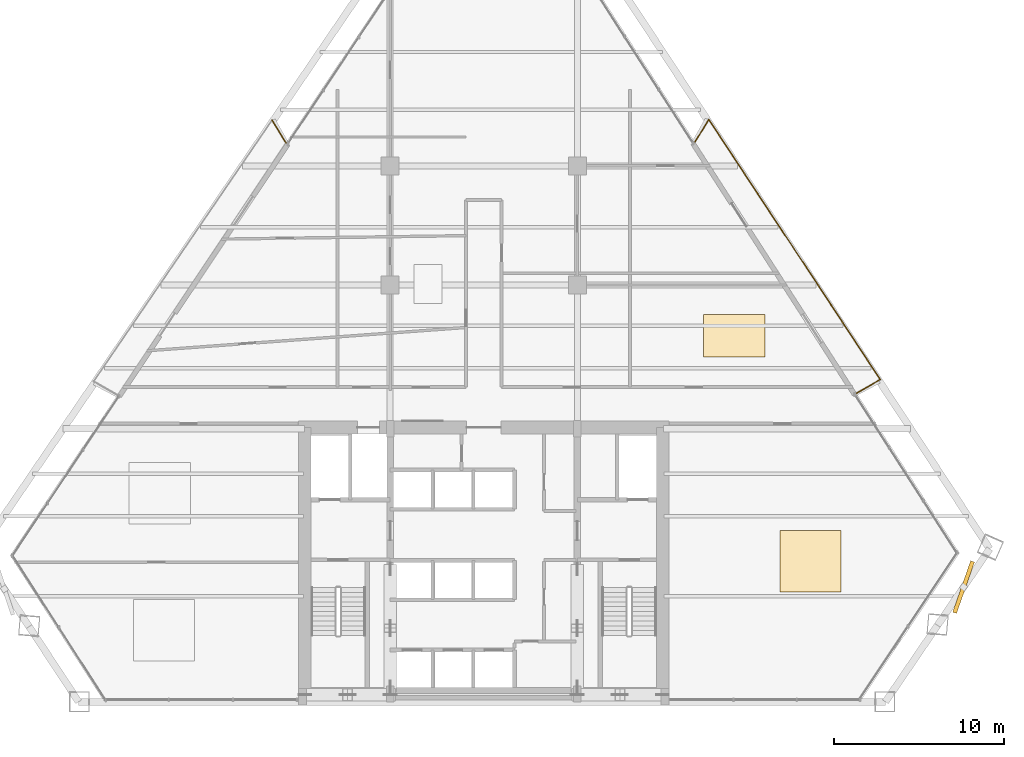
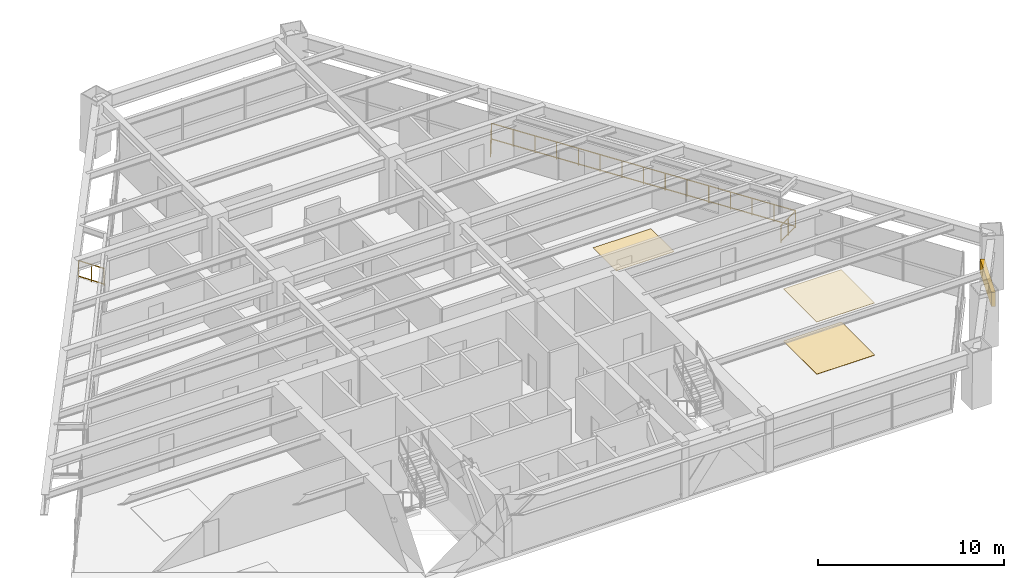
# One storey, part 14 of 14: 4 railings, 3 coverings, 1 shading device.
"""IFC4 building model written with IfcOpenShell, lengths in metres."""

from ifc_helpers import new_model, si_unit, direction, frame, origin, origin_2d, place, context, subcontext, project, spatial, rectangle, extrude, source, transform, mapped, material, layer, layer_set, type_object, type_shapes, element, save


model = new_model("IFC4")

# Units and contexts
model_context = context("Model", 3, precision=1e-05, world=origin(), true_north=direction((0.0, 1.0)))
body_context = subcontext(model_context, "Body", "Model", "MODEL_VIEW")
ifc_project = project(units=[si_unit("LENGTHUNIT", "METRE"), si_unit("AREAUNIT", "SQUARE_METRE"), si_unit("VOLUMEUNIT", "CUBIC_METRE"), si_unit("PLANEANGLEUNIT", "RADIAN"), si_unit("MASSUNIT", "GRAM", prefix="KILO")], contexts=[model_context])

# Site, building, storey
site_placement = place(None, origin())
site = spatial("IfcSite", under=ifc_project, at=site_placement, CompositionType="ELEMENT")
building_placement = place(site_placement, origin())
building = spatial("IfcBuilding", under=site, at=building_placement, Name="Varnakhor Terracotta Tower", CompositionType="ELEMENT")
storey_placement = place(building_placement, frame((0.0, 0.0, 106.199951171875)))
storey = spatial("IfcBuildingStorey", under=building, at=storey_placement, Name="L26", CompositionType="ELEMENT", Elevation=106.199951171875)

# Railings
ifc_material_1 = material(Name="Stainless Steel & Laminated Glass Guardrail", Category="steel")
railing_type = type_object("IfcRailingType", Name="RLG-LOGGIA-GUARD-1150", PredefinedType="GUARDRAIL", material=ifc_material_1)
railing_1_placement = place(storey_placement, frame((12.41259765625, 32.897705078125, 0.0)))
element("IfcRailing", 1, at=railing_1_placement, inside=storey, type_object=railing_type, Name="L26 E Loggia Glass Guard 1", PredefinedType="GUARDRAIL", context=body_context, shape_type="SweptSolid", body=[
    extrude(rectangle(XDim=0.048095703125, YDim=0.048095703125, at=origin_2d()), frame((0.0, 0.0, 1.1259765625), z_axis=(0.523013634484, 0.852324315119, 0.0), x_axis=(-0.852324315119, 0.523013634484, 0.0)), (0.0, 0.0, 1.0), 1.55908203125),
    extrude(rectangle(XDim=0.048095703125, YDim=0.048095703125, at=origin_2d()), frame((0.0, 0.0, 0.10009765625), z_axis=(0.523013634484, 0.852324315119, 0.0), x_axis=(-0.852324315119, 0.523013634484, 0.0)), (0.0, 0.0, 1.0), 1.55908203125),
    extrude(rectangle(XDim=0.0419921875, YDim=0.0419921875, at=origin_2d()), origin(), (0.0, 0.0, 1.0), 1.101806640625),
    extrude(rectangle(XDim=0.0419921875, YDim=0.0419921875, at=origin_2d()), frame((0.40771484375, 0.66455078125, 0.0)), (0.0, 0.0, 1.0), 1.101806640625),
    extrude(rectangle(XDim=0.0419921875, YDim=0.0419921875, at=origin_2d()), frame((0.8154296875, 1.328857421875, 0.0)), (0.0, 0.0, 1.0), 1.101806640625),
])
railing_2_placement = place(storey_placement, frame((13.22802734375, 34.2265625, 0.0)))
element("IfcRailing", 2, at=railing_2_placement, inside=storey, type_object=railing_type, Name="L26 E Loggia Glass Guard 2", PredefinedType="GUARDRAIL", context=body_context, shape_type="SweptSolid", body=[
    extrude(rectangle(XDim=0.048095703125, YDim=0.048095703125, at=origin_2d()), frame((0.0, 0.0, 1.1259765625), z_axis=(0.55025946449, -0.834993725569, 0.0), x_axis=(0.834993725569, 0.55025946449, 0.0)), (0.0, 0.0, 1.0), 18.302001953125),
    extrude(rectangle(XDim=0.048095703125, YDim=0.048095703125, at=origin_2d()), frame((0.0, 0.0, 0.10009765625), z_axis=(0.55025946449, -0.834993725569, 0.0), x_axis=(0.834993725569, 0.55025946449, 0.0)), (0.0, 0.0, 1.0), 18.302001953125),
    extrude(rectangle(XDim=0.0419921875, YDim=0.0419921875, at=origin_2d()), origin(), (0.0, 0.0, 1.0), 1.101806640625),
    extrude(rectangle(XDim=0.0419921875, YDim=0.0419921875, at=origin_2d()), frame((0.71923828125, -1.091552734375, 0.0)), (0.0, 0.0, 1.0), 1.101806640625),
    extrude(rectangle(XDim=0.0419921875, YDim=0.0419921875, at=origin_2d()), frame((1.438720703125, -2.18310546875, 0.0)), (0.0, 0.0, 1.0), 1.101806640625),
    extrude(rectangle(XDim=0.0419921875, YDim=0.0419921875, at=origin_2d()), frame((2.157958984375, -3.274658203125, 0.0)), (0.0, 0.0, 1.0), 1.101806640625),
    extrude(rectangle(XDim=0.0419921875, YDim=0.0419921875, at=origin_2d()), frame((2.87744140625, -4.3662109375, 0.0)), (0.0, 0.0, 1.0), 1.101806640625),
    extrude(rectangle(XDim=0.0419921875, YDim=0.0419921875, at=origin_2d()), frame((3.5966796875, -5.457763671875, 0.0)), (0.0, 0.0, 1.0), 1.101806640625),
    extrude(rectangle(XDim=0.0419921875, YDim=0.0419921875, at=origin_2d()), frame((4.316162109375, -6.54931640625, 0.0)), (0.0, 0.0, 1.0), 1.101806640625),
    extrude(rectangle(XDim=0.0419921875, YDim=0.0419921875, at=origin_2d()), frame((5.035400390625, -7.64111328125, 0.0)), (0.0, 0.0, 1.0), 1.101806640625),
    extrude(rectangle(XDim=0.0419921875, YDim=0.0419921875, at=origin_2d()), frame((5.754638671875, -8.732666015625, 0.0)), (0.0, 0.0, 1.0), 1.101806640625),
    extrude(rectangle(XDim=0.0419921875, YDim=0.0419921875, at=origin_2d()), frame((6.47412109375, -9.82421875, 0.0)), (0.0, 0.0, 1.0), 1.101806640625),
    extrude(rectangle(XDim=0.0419921875, YDim=0.0419921875, at=origin_2d()), frame((7.193359375, -10.915771484375, 0.0)), (0.0, 0.0, 1.0), 1.101806640625),
    extrude(rectangle(XDim=0.0419921875, YDim=0.0419921875, at=origin_2d()), frame((7.912841796875, -12.00732421875, 0.0)), (0.0, 0.0, 1.0), 1.101806640625),
    extrude(rectangle(XDim=0.0419921875, YDim=0.0419921875, at=origin_2d()), frame((8.632080078125, -13.098876953125, 0.0)), (0.0, 0.0, 1.0), 1.101806640625),
    extrude(rectangle(XDim=0.0419921875, YDim=0.0419921875, at=origin_2d()), frame((9.3515625, -14.1904296875, 0.0)), (0.0, 0.0, 1.0), 1.101806640625),
    extrude(rectangle(XDim=0.0419921875, YDim=0.0419921875, at=origin_2d()), frame((10.07080078125, -15.281982421875, 0.0)), (0.0, 0.0, 1.0), 1.101806640625),
])
railing_3_placement = place(storey_placement, frame((23.298828125, 18.944580078125, 0.0)))
element("IfcRailing", 3, at=railing_3_placement, inside=storey, type_object=railing_type, Name="L26 E Loggia Glass Guard 3", PredefinedType="GUARDRAIL", context=body_context, shape_type="SweptSolid", body=[
    extrude(rectangle(XDim=0.048095703125, YDim=0.048095703125, at=origin_2d()), frame((0.0, 0.0, 1.1259765625), z_axis=(-0.863364186731, -0.504581292827, 0.0), x_axis=(0.504581292827, -0.863364186731, 0.0)), (0.0, 0.0, 1.0), 1.6025390625),
    extrude(rectangle(XDim=0.048095703125, YDim=0.048095703125, at=origin_2d()), frame((0.0, 0.0, 0.10009765625), z_axis=(-0.863364186731, -0.504581292827, 0.0), x_axis=(0.504581292827, -0.863364186731, 0.0)), (0.0, 0.0, 1.0), 1.6025390625),
    extrude(rectangle(XDim=0.0419921875, YDim=0.0419921875, at=origin_2d()), origin(), (0.0, 0.0, 1.0), 1.101806640625),
    extrude(rectangle(XDim=0.0419921875, YDim=0.0419921875, at=origin_2d()), frame((-0.69189453125, -0.404296875, 0.0)), (0.0, 0.0, 1.0), 1.101806640625),
    extrude(rectangle(XDim=0.0419921875, YDim=0.0419921875, at=origin_2d()), frame((-1.383544921875, -0.80859375, 0.0)), (0.0, 0.0, 1.0), 1.101806640625),
])
railing_4_placement = place(storey_placement, frame((-12.445068359375, 34.1865234375, 0.0)))
element("IfcRailing", 4, at=railing_4_placement, inside=storey, type_object=railing_type, Name="L26 W Loggia Glass Guard 3", PredefinedType="GUARDRAIL", context=body_context, shape_type="SweptSolid", body=[
    extrude(rectangle(XDim=0.048095703125, YDim=0.048095703125, at=origin_2d()), frame((0.0, 0.0, 1.1259765625), z_axis=(0.524499200037, -0.85141094024, 0.0), x_axis=(0.85141094024, 0.524499200037, 0.0)), (0.0, 0.0, 1.0), 1.559326171875),
    extrude(rectangle(XDim=0.048095703125, YDim=0.048095703125, at=origin_2d()), frame((0.0, 0.0, 0.10009765625), z_axis=(0.524499200037, -0.85141094024, 0.0), x_axis=(0.85141094024, 0.524499200037, 0.0)), (0.0, 0.0, 1.0), 1.559326171875),
    extrude(rectangle(XDim=0.0419921875, YDim=0.0419921875, at=origin_2d()), origin(), (0.0, 0.0, 1.0), 1.101806640625),
    extrude(rectangle(XDim=0.0419921875, YDim=0.0419921875, at=origin_2d()), frame((0.408935546875, -0.663818359375, 0.0)), (0.0, 0.0, 1.0), 1.101806640625),
    extrude(rectangle(XDim=0.0419921875, YDim=0.0419921875, at=origin_2d()), frame((0.81787109375, -1.32763671875, 0.0)), (0.0, 0.0, 1.0), 1.101806640625),
])

# Shading device
ifc_material_2 = material(Name="Extruded Architectural Terracotta Screen", Category="masonry")
shading_device_type = type_object("IfcShadingDeviceType", Name="TERRACOTTA SOLAR SCREEN E", PredefinedType="USERDEFINED", material=ifc_material_2)
shared_shape_1 = source(origin(), body_context, "Body", "SweptSolid", [
    extrude(rectangle(XDim=3.199951171875, YDim=0.239990234375, at=origin_2d()), origin(), (0.0, 0.0, 1.0), 0.919921875),
])
type_shapes(shading_device_type, [shared_shape_1])
shading_device_placement = place(storey_placement, frame((28.20361328125, 6.744384765625, 1.6181640625), z_axis=(0.0, 0.0, 1.0), x_axis=(0.329921319884, 0.944008433588, 0.0)))
element("IfcShadingDevice", 5, at=shading_device_placement, inside=storey, type_object=shading_device_type, Name="L26 E Terracotta Solar Screen", ObjectType="SCREEN", PredefinedType="USERDEFINED", context=body_context, shape_type="MappedRepresentation", body=[
    mapped(shared_shape_1, transform((0.0, 0.0, 0.0), scale=1.0)),
])

# Coverings
ifc_material_3 = material(Name="Honed Riyadh Limestone Flooring", Category="masonry")
ifc_layer_1 = layer(ifc_material_3, 0.030029296875, Name="Honed Riyadh Limestone Flooring")
ifc_layer_set_1 = layer_set([ifc_layer_1], Name="Honed Riyadh Limestone Flooring")
covering_type_1 = type_object("IfcCoveringType", Name="COV-FLOOR-LIMESTONE", PredefinedType="FLOORING", material=ifc_layer_set_1)
shared_shape_2 = source(origin(), body_context, "Body", "SweptSolid", [
    extrude(rectangle(XDim=3.60009765625, YDim=3.60009765625, at=origin_2d()), origin(), (0.0, 0.0, 1.0), 0.02001953125),
])
covering_1_placement = place(storey_placement, frame((19.2099609375, 8.26611328125, 0.0), z_axis=(0.0, 0.0, 1.0), x_axis=(1.0, 0.0, 0.0)))
element("IfcCovering", 6, at=covering_1_placement, inside=storey, type_object=covering_type_1, Name="L26 Honed Stone Flooring 2", PredefinedType="FLOORING", context=body_context, shape_type="MappedRepresentation", body=[
    mapped(shared_shape_2, transform((0.0, 0.0, 0.0), scale=1.0)),
])
ifc_material_4 = material(Name="Perforated Acoustic Mineral-Fibre Ceiling", Category="gypsum")
ifc_layer_2 = layer(ifc_material_4, 0.02490234375, Name="Perforated Acoustic Mineral-Fibre Ceiling")
ifc_layer_set_2 = layer_set([ifc_layer_2], Name="Perforated Acoustic Mineral-Fibre Ceiling")
covering_type_2 = type_object("IfcCoveringType", Name="COV-CEILING-ACOUSTIC", PredefinedType="CEILING", material=ifc_layer_set_2)
shared_shape_3 = source(origin(), body_context, "Body", "SweptSolid", [
    extrude(rectangle(XDim=3.60009765625, YDim=3.60009765625, at=origin_2d()), origin(), (0.0, 0.0, 1.0), 0.02392578125),
])
covering_2_placement = place(storey_placement, frame((19.2099609375, 8.26611328125, 3.426025390625), z_axis=(0.0, 0.0, 1.0), x_axis=(1.0, 0.0, 0.0)))
element("IfcCovering", 7, at=covering_2_placement, inside=storey, type_object=covering_type_2, Name="L26 Acoustic Ceiling Panel 2", PredefinedType="CEILING", context=body_context, shape_type="MappedRepresentation", body=[
    mapped(shared_shape_3, transform((0.0, 0.0, 0.0), scale=1.0)),
])
shared_shape_4 = source(origin(), body_context, "Body", "SweptSolid", [
    extrude(rectangle(XDim=3.60009765625, YDim=2.489013671875, at=origin_2d()), origin(), (0.0, 0.0, 1.0), 0.02001953125),
])
covering_3_placement = place(storey_placement, frame((14.716064453125, 21.510986328125, 0.0), z_axis=(0.0, 0.0, 1.0), x_axis=(1.0, 0.0, 0.0)))
element("IfcCovering", 8, at=covering_3_placement, inside=storey, type_object=covering_type_1, Name="L26 Honed Stone Flooring 4", PredefinedType="FLOORING", context=body_context, shape_type="MappedRepresentation", body=[
    mapped(shared_shape_4, transform((0.0, 0.0, 0.0), scale=1.0)),
])

save(model, "model.ifc")
